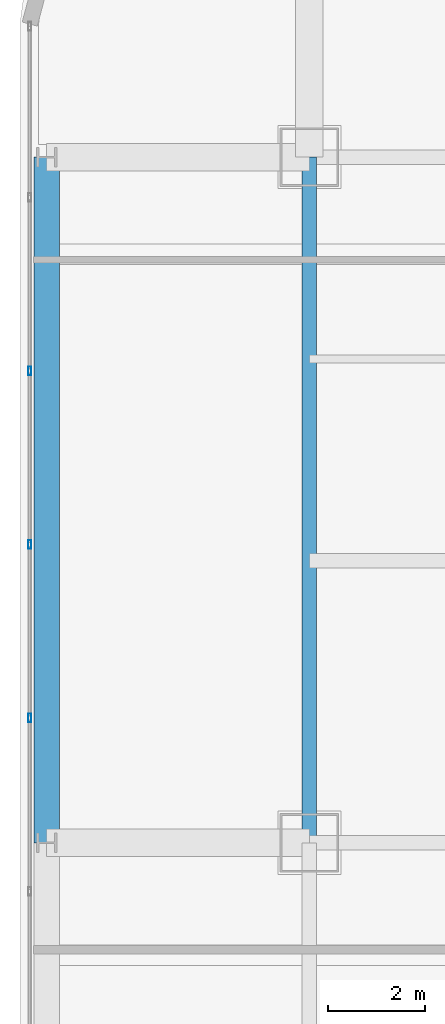
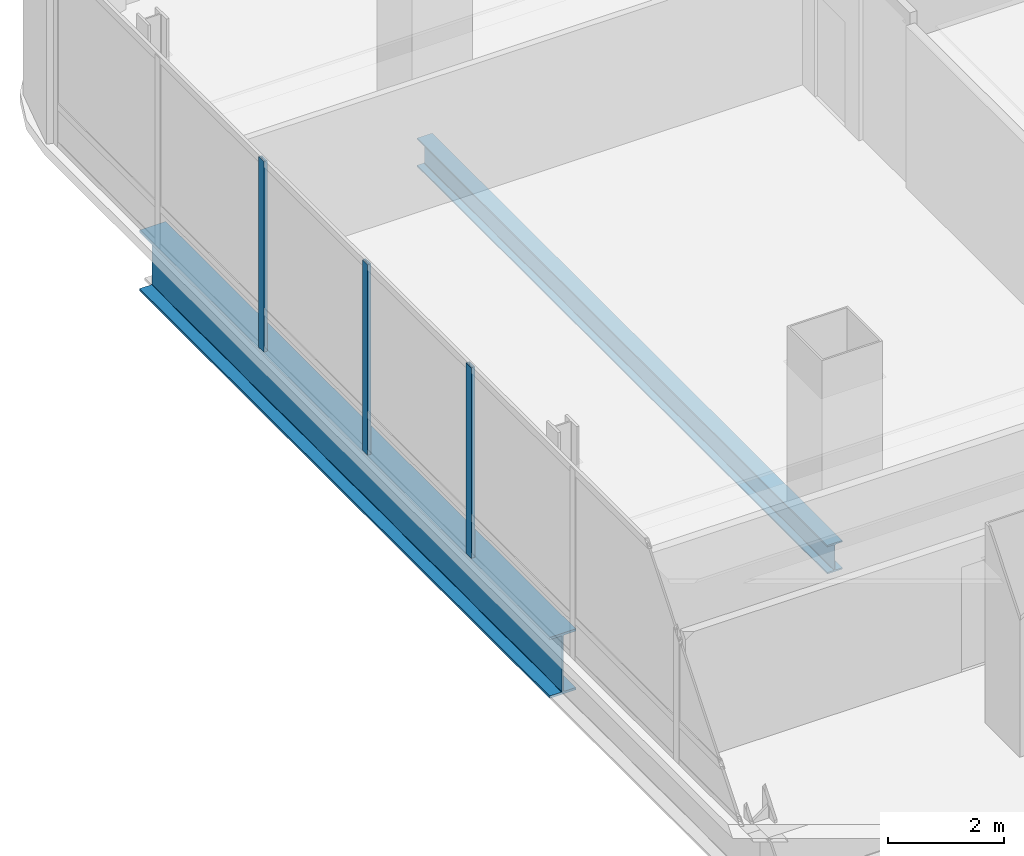
# One storey, part 12 of 43: 3 members, 2 beams, 1 element without a shape of its own.
"""IFC4 building model written with IfcOpenShell, lengths in metres."""

from ifc_helpers import new_model, si_unit, direction, frame, origin, origin_2d, place, context, subcontext, project, spatial, hollow_rectangle, i_section, extrude, material, material_profile, profile_set, type_object, element, aggregate, save


model = new_model("IFC4")

# Units and contexts
model_context = context("Model", 3, precision=1e-05, world=origin(), true_north=direction((0.0, 1.0)))
body_context = subcontext(model_context, "Body", "Model", "MODEL_VIEW")
ifc_project = project(units=[si_unit("LENGTHUNIT", "METRE"), si_unit("AREAUNIT", "SQUARE_METRE"), si_unit("VOLUMEUNIT", "CUBIC_METRE"), si_unit("PLANEANGLEUNIT", "RADIAN"), si_unit("MASSUNIT", "GRAM", prefix="KILO")], contexts=[model_context])

# Site, building, storey
site_placement = place(None, origin())
site = spatial("IfcSite", under=ifc_project, at=site_placement, CompositionType="ELEMENT")
building_placement = place(site_placement, origin())
building = spatial("IfcBuilding", under=site, at=building_placement, Name="Punatoya Terracotta Tower", CompositionType="ELEMENT")
storey_placement = place(building_placement, frame((0.0, 0.0, 300.60009765625)))
storey = spatial("IfcBuildingStorey", under=building, at=storey_placement, Name="L71", CompositionType="ELEMENT", Elevation=300.60009765625)

# Beams
ifc_material_1 = material(Name="Steel S355", Category="steel")
ifc_material_profile_1 = material_profile(ifc_material_1, i_section(OverallWidth=0.300048828125, OverallDepth=0.60009765625, WebThickness=0.015380859375, FlangeThickness=0.030029296875, FilletRadius=0.01806640625, at=origin_2d()))
ifc_profile_set_1 = profile_set([ifc_material_profile_1], Name="Steel S355")
beam_type_1 = type_object("IfcBeamType", Name="BM-PRI-600", PredefinedType="BEAM", material=ifc_profile_set_1)
beam_1_placement = place(storey_placement, frame((-19.10009765625, 3.39990234375, -0.5), z_axis=(0.0, 1.0, 0.0), x_axis=(-1.0, 0.0, 0.0)))
element("IfcBeam", 1, at=beam_1_placement, inside=storey, type_object=beam_type_1, Name="BM-L71-RG-W3", PredefinedType="BEAM", context=body_context, shape_type="SweptSolid", body=[
    extrude(i_section(OverallWidth=0.300048828125, OverallDepth=0.60009765625, WebThickness=0.015380859375, FlangeThickness=0.030029296875, FilletRadius=0.01806640625, at=origin_2d()), origin(), (0.0, 0.0, 1.0), 14.10009765625),
])
ifc_material_2 = material(Name="Steel S460", Category="steel")
ifc_material_profile_2 = material_profile(ifc_material_2, i_section(OverallWidth=0.52001953125, OverallDepth=1.280029296875, WebThickness=0.031982421875, FlangeThickness=0.050048828125, FilletRadius=0.01806640625, at=origin_2d()))
ifc_profile_set_2 = profile_set([ifc_material_profile_2], Name="Steel S460")
beam_type_2 = type_object("IfcBeamType", Name="BM-TG-NCK", PredefinedType="BEAM", material=ifc_profile_set_2)
beam_2_placement = place(storey_placement, frame((-24.5, 3.39990234375, -0.840087890625), z_axis=(0.0, 1.0, 0.0), x_axis=(-1.0, 0.0, 0.0)))
element("IfcBeam", 2, at=beam_2_placement, inside=storey, type_object=beam_type_2, Name="BM-L71-PER-W3", PredefinedType="BEAM", context=body_context, shape_type="SweptSolid", body=[
    extrude(i_section(OverallWidth=0.52001953125, OverallDepth=1.280029296875, WebThickness=0.031982421875, FlangeThickness=0.050048828125, FilletRadius=0.01806640625, at=origin_2d()), origin(), (0.0, 0.0, 1.0), 14.10009765625),
])

# Curtain wall, members
ifc_material_3 = material(Name="Aluminium 6063-T6 + Double Low-E Glass", Category="aluminium")
curtain_wall_type = type_object("IfcCurtainWallType", Name="CW-M3", PredefinedType="NOTDEFINED", material=ifc_material_3)
curtain_wall_placement = place(storey_placement, origin())
curtain_wall = element("IfcCurtainWall", 3, at=curtain_wall_placement, inside=storey, type_object=curtain_wall_type, Name="L71 Curtain Wall CW-L71-W13-1", PredefinedType="NOTDEFINED")
ifc_material_4 = material(Name="Aluminium 6063-T6", Category="aluminium")
ifc_material_profile_3 = material_profile(ifc_material_4, hollow_rectangle(XDim=0.070068359375, YDim=0.179931640625, WallThickness=0.00390625, at=origin_2d()))
ifc_profile_set_3 = profile_set([ifc_material_profile_3], Name="Aluminium 6063-T6")
member_type = type_object("IfcMemberType", Name="CW-MUL-M3", PredefinedType="MULLION", material=ifc_profile_set_3)
member_1_placement = place(storey_placement, frame((-24.85009765625, 13.10205078125, 0.0), z_axis=(0.0, 0.0, 1.0), x_axis=(1.0, 0.0, 0.0)))
member_1 = element("IfcMember", 4, at=member_1_placement, type_object=member_type, Name="CW-L71-W13-1 Mullion 02", PredefinedType="MULLION", context=body_context, shape_type="SweptSolid", body=[
    extrude(hollow_rectangle(XDim=0.070068359375, YDim=0.179931640625, WallThickness=0.00390625, at=origin_2d()), origin(), (0.0, 0.0, 1.0), 4.0),
])
member_2_placement = place(storey_placement, frame((-24.85009765625, 9.534912109375, 0.0), z_axis=(0.0, 0.0, 1.0), x_axis=(1.0, 0.0, 0.0)))
member_2 = element("IfcMember", 5, at=member_2_placement, type_object=member_type, Name="CW-L71-W13-1 Mullion 03", PredefinedType="MULLION", context=body_context, shape_type="SweptSolid", body=[
    extrude(hollow_rectangle(XDim=0.070068359375, YDim=0.179931640625, WallThickness=0.00390625, at=origin_2d()), origin(), (0.0, 0.0, 1.0), 4.0),
])
member_3_placement = place(storey_placement, frame((-24.85009765625, 5.96728515625, 0.0), z_axis=(0.0, 0.0, 1.0), x_axis=(1.0, 0.0, 0.0)))
member_3 = element("IfcMember", 6, at=member_3_placement, type_object=member_type, Name="CW-L71-W13-1 Mullion 04", PredefinedType="MULLION", context=body_context, shape_type="SweptSolid", body=[
    extrude(hollow_rectangle(XDim=0.070068359375, YDim=0.179931640625, WallThickness=0.00390625, at=origin_2d()), origin(), (0.0, 0.0, 1.0), 4.0),
])
aggregate(curtain_wall, [member_1, member_2, member_3])

save(model, "model.ifc")
